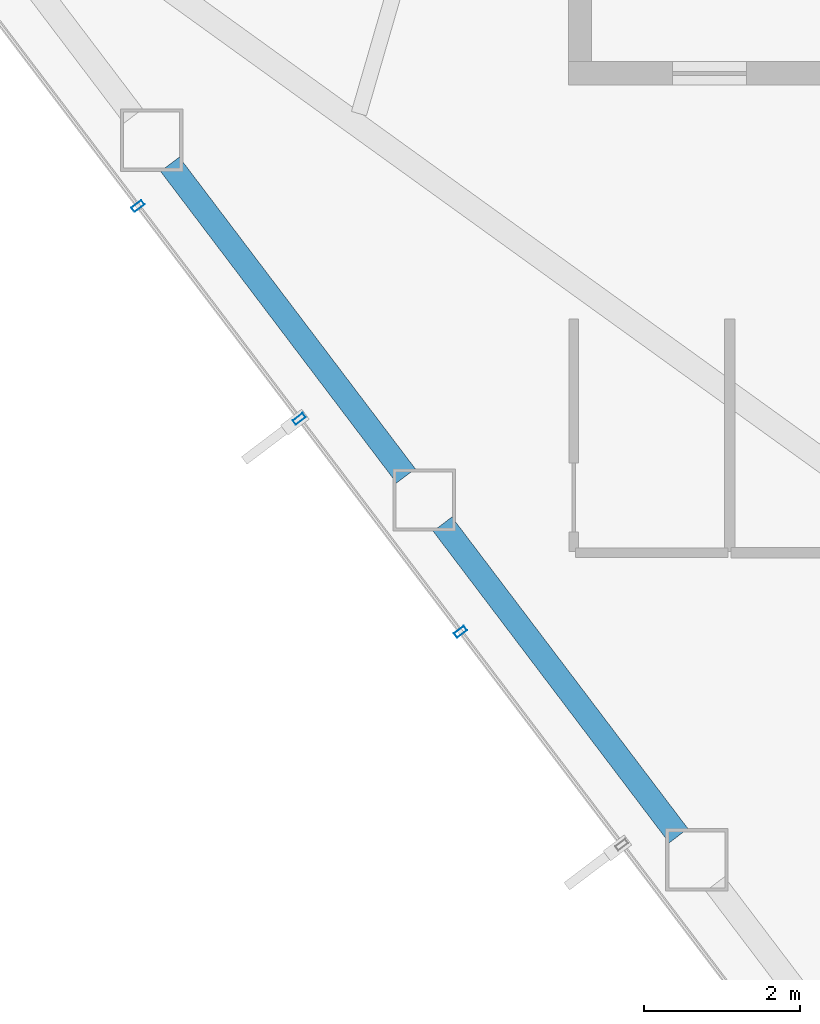
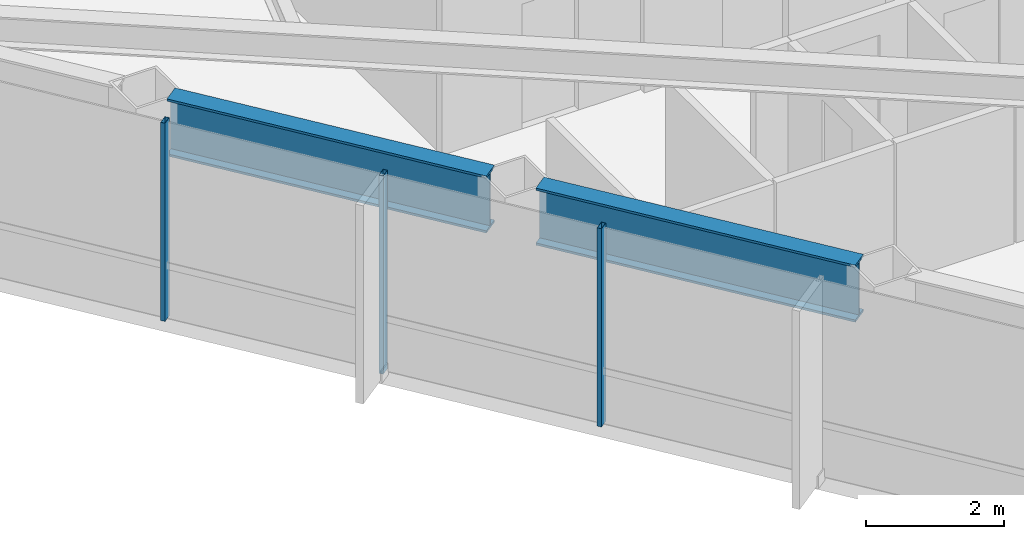
# One storey, part 4 of 29: 3 members, 2 beams, 1 element without a shape of its own.
"""IFC4 building model written with IfcOpenShell, lengths in metres."""

from ifc_helpers import new_model, si_unit, direction, frame, origin, origin_2d, place, context, subcontext, project, spatial, hollow_rectangle, i_section, extrude, material, layer, layer_set, material_profile, profile_set, type_object, element, aggregate, save


model = new_model("IFC4")

# Units and contexts
model_context = context("Model", 3, precision=1e-05, world=origin(), true_north=direction((0.0, 1.0)))
body_context = subcontext(model_context, "Body", "Model", "MODEL_VIEW")
ifc_project = project(units=[si_unit("LENGTHUNIT", "METRE"), si_unit("AREAUNIT", "SQUARE_METRE"), si_unit("VOLUMEUNIT", "CUBIC_METRE"), si_unit("PLANEANGLEUNIT", "RADIAN"), si_unit("MASSUNIT", "GRAM", prefix="KILO")], contexts=[model_context])

# Site, building, storey
site_placement = place(None, origin())
site = spatial("IfcSite", under=ifc_project, at=site_placement, CompositionType="ELEMENT")
building_placement = place(site_placement, origin())
building = spatial("IfcBuilding", under=site, at=building_placement, Name="Zarrinselat Tower", CompositionType="ELEMENT")
storey_placement = place(building_placement, frame((0.0, 0.0, 138.3798828125)))
storey = spatial("IfcBuildingStorey", under=building, at=storey_placement, Name="L33", CompositionType="ELEMENT", Elevation=138.3798828125)

# Beams
ifc_material_1 = material(Name="Steel S460M", Category="steel")
ifc_material_profile_1 = material_profile(ifc_material_1, i_section(OverallWidth=0.302001953125, OverallDepth=1.008056640625, WebThickness=0.02099609375, FlangeThickness=0.0400390625, at=origin_2d()), Name="HEM 1000")
ifc_profile_set_1 = profile_set([ifc_material_profile_1], Name="Steel S460M")
beam_type = type_object("IfcBeamType", Name="BM-HEM1000", PredefinedType="BEAM", material=ifc_profile_set_1)
beam_1_placement = place(storey_placement, frame((19.96923828125, 32.135009765625, 2.99609375), z_axis=(0.603848315912, -0.797099248131, 0.0), x_axis=(0.797099248131, 0.603848315912, 0.0)))
element("IfcBeam", 1, at=beam_1_placement, inside=storey, type_object=beam_type, Name="L33 Perimeter Spandrel Girder SP07", PredefinedType="BEAM", context=body_context, shape_type="SweptSolid", body=[
    extrude(i_section(OverallWidth=0.302001953125, OverallDepth=1.008056640625, WebThickness=0.02099609375, FlangeThickness=0.0400390625, at=origin_2d()), origin(), (0.0, 0.0, 1.0), 5.015380859375),
])
beam_2_placement = place(storey_placement, frame((23.46630859375, 27.518798828125, 2.99609375), z_axis=(0.60387174651, -0.797081497569, 0.0), x_axis=(0.797081497569, 0.60387174651, 0.0)))
element("IfcBeam", 2, at=beam_2_placement, inside=storey, type_object=beam_type, Name="L33 Perimeter Spandrel Girder SP08", PredefinedType="BEAM", context=body_context, shape_type="SweptSolid", body=[
    extrude(i_section(OverallWidth=0.302001953125, OverallDepth=1.008056640625, WebThickness=0.02099609375, FlangeThickness=0.0400390625, at=origin_2d()), origin(), (0.0, 0.0, 1.0), 5.01513671875),
])

# Curtain wall, members
ifc_material_2 = material(Name="Extruded Aluminium Alloy EN AW-6063 T6", Category="aluminium")
ifc_layer = layer(ifc_material_2, 0.175048828125)
ifc_layer_set = layer_set([ifc_layer], Name="Extruded Aluminium Alloy EN AW-6063 T6")
curtain_wall_type = type_object("IfcCurtainWallType", Name="CWS-HTL", PredefinedType="NOTDEFINED", material=ifc_layer_set)
curtain_wall_placement = place(storey_placement, origin())
curtain_wall = element("IfcCurtainWall", 3, at=curtain_wall_placement, inside=storey, type_object=curtain_wall_type, Name="L33 Unitised Curtain Wall CW-L33-E03", PredefinedType="NOTDEFINED")
ifc_material_3 = material(Name="Extruded Aluminium Alloy EN AW-6063 T6", Category="aluminium")
ifc_material_profile_2 = material_profile(ifc_material_3, hollow_rectangle(XDim=0.070068359375, YDim=0.159912109375, WallThickness=0.00390625, at=origin_2d()), Name="RHS 160x70x4")
ifc_profile_set_2 = profile_set([ifc_material_profile_2], Name="Extruded Aluminium Alloy EN AW-6063 T6")
member_type = type_object("IfcMemberType", Name="MEM-CW-MUL2", PredefinedType="MULLION", material=ifc_profile_set_2)
member_1_placement = place(storey_placement, frame((19.559814453125, 31.59912109375, 0.0), z_axis=(0.0, 0.0, 1.0), x_axis=(0.603855520216, -0.797093790407, 0.0)))
member_1 = element("IfcMember", 4, at=member_1_placement, type_object=member_type, Name="CW-L33-E03 Mullion 2", PredefinedType="MULLION", context=body_context, shape_type="SweptSolid", body=[
    extrude(hollow_rectangle(XDim=0.070068359375, YDim=0.159912109375, WallThickness=0.00390625, at=origin_2d()), origin(), (0.0, 0.0, 1.0), 3.5),
])
member_2_placement = place(storey_placement, frame((21.62841796875, 28.868408203125, 0.0), z_axis=(0.0, 0.0, 1.0), x_axis=(0.603855520216, -0.797093790407, 0.0)))
member_2 = element("IfcMember", 5, at=member_2_placement, type_object=member_type, Name="CW-L33-E03 Mullion 3", PredefinedType="MULLION", context=body_context, shape_type="SweptSolid", body=[
    extrude(hollow_rectangle(XDim=0.070068359375, YDim=0.159912109375, WallThickness=0.00390625, at=origin_2d()), origin(), (0.0, 0.0, 1.0), 3.5),
])
member_3_placement = place(storey_placement, frame((23.697021484375, 26.1376953125, 0.0), z_axis=(0.0, 0.0, 1.0), x_axis=(0.603855520216, -0.797093790407, 0.0)))
member_3 = element("IfcMember", 6, at=member_3_placement, type_object=member_type, Name="CW-L33-E03 Mullion 4", PredefinedType="MULLION", context=body_context, shape_type="SweptSolid", body=[
    extrude(hollow_rectangle(XDim=0.070068359375, YDim=0.159912109375, WallThickness=0.00390625, at=origin_2d()), origin(), (0.0, 0.0, 1.0), 3.5),
])
aggregate(curtain_wall, [member_1, member_2, member_3])

save(model, "model.ifc")
